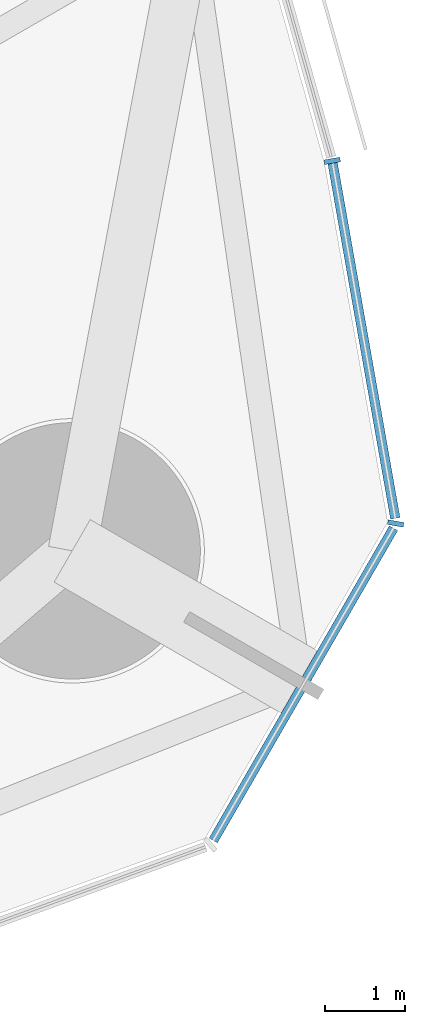
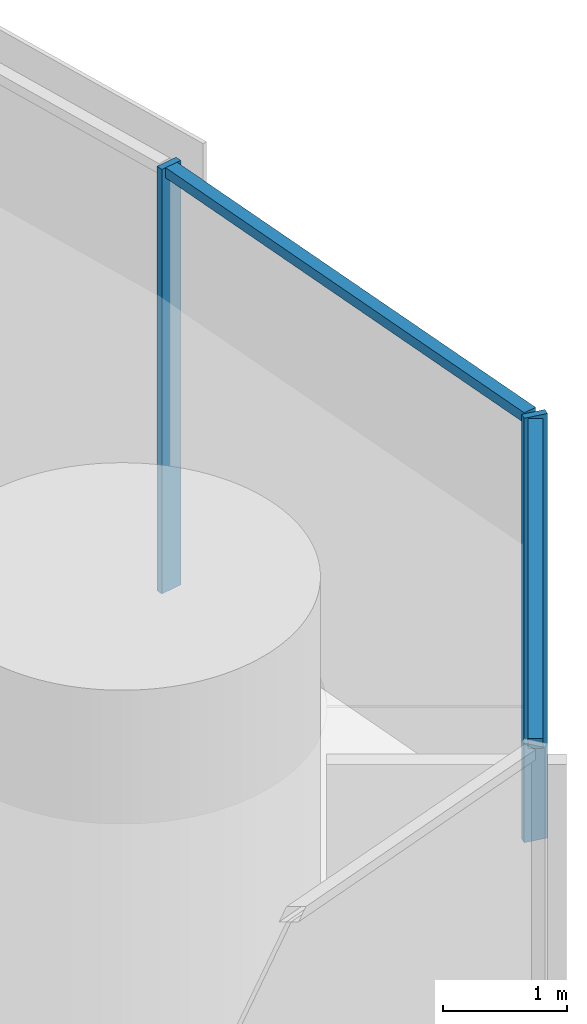
# One storey, part 9 of 20: 4 members, 1 element without a shape of its own.
"""IFC4 building model written with IfcOpenShell, lengths in metres."""

import ifcopenshell
import ifcopenshell.guid

model = None  # the IFC model being written
_history = None  # IfcOwnerHistory: only IFC2X3 demands one
_inside = {}  # id of a spatial element -> (the spatial element, [elements in it])
_under = {}  # id of a project, library or spatial element -> (it, [spatial elements below it])
_declared = {}  # id of a project -> (the project, [libraries it declares])
_typed = {}  # id of a type object -> (the type object, [elements of that type])
_made_of = {}  # id of a material, layer set ... -> (it, [elements and type objects made of it])


def new_model(schema):
    """Start an empty IFC model of exactly this schema.

    Asked for "IFC4X3", IfcOpenShell would pick the latest addendum, in which some entities
    have other attributes; the version numbers below select the first issue.
    IFC2X3 requires an IfcOwnerHistory on every rooted entity: one is made here for all.
    """
    global model, _history
    if schema == "IFC4X3":
        model = ifcopenshell.file(schema_version=(4, 3, 0, 0))
    else:
        model = ifcopenshell.file(schema=schema)
    _inside.clear()
    _under.clear()
    _declared.clear()
    _typed.clear()
    _made_of.clear()
    _history = None
    if model.schema == "IFC2X3":
        org = make("IfcOrganization", Name="unknown")
        user = make(
            "IfcPersonAndOrganization",
            ThePerson=make("IfcPerson", FamilyName="unknown"),
            TheOrganization=org,
        )
        app = make(
            "IfcApplication",
            ApplicationDeveloper=org,
            Version="unknown",
            ApplicationFullName="unknown",
            ApplicationIdentifier="unknown",
        )
        _history = make(
            "IfcOwnerHistory",
            OwningUser=user,
            OwningApplication=app,
            ChangeAction="ADDED",
            CreationDate=0,
        )
    return model


def make(cls, **values):
    """One entity of the class cls with the attributes given. An attribute that is None is left unset."""
    return model.create_entity(
        cls, **{name: value for name, value in values.items() if value is not None}
    )


def rooted(cls, **values):
    """An entity with a GlobalId (a new one), such as an element, a storey or a relation."""
    return make(cls, GlobalId=ifcopenshell.guid.new(), OwnerHistory=_history, **values)


def si_unit(unit_type, name, prefix=None):
    """IfcSIUnit, for example si_unit("LENGTHUNIT", "METRE", prefix="MILLI")."""
    return make("IfcSIUnit", UnitType=unit_type, Prefix=prefix, Name=name)


def assignment(units):
    """IfcUnitAssignment: the units of a project."""
    return None if units is None else make("IfcUnitAssignment", Units=units)


def point(xyz):
    """IfcCartesianPoint."""
    return None if xyz is None else make("IfcCartesianPoint", Coordinates=xyz)


def direction(xyz):
    """IfcDirection."""
    return None if xyz is None else make("IfcDirection", DirectionRatios=xyz)


def frame(location, z_axis=None, x_axis=None):
    """IfcAxis2Placement3D, a coordinate frame: its origin and axes. An axis left out is left unset."""
    return make(
        "IfcAxis2Placement3D",
        Location=point(location),
        Axis=direction(z_axis),
        RefDirection=direction(x_axis),
    )


def frame_2d(location, x_axis=None):
    """IfcAxis2Placement2D, a coordinate frame in the plane: its origin and x axis."""
    return make(
        "IfcAxis2Placement2D", Location=point(location), RefDirection=direction(x_axis)
    )


def origin():
    """The frame at (0, 0, 0) with its axes left unset."""
    return frame((0.0, 0.0, 0.0))


def origin_2d():
    """The frame at (0, 0) in the plane with its x axis left unset."""
    return frame_2d((0.0, 0.0))


def place(relative_to, where):
    """IfcLocalPlacement: puts the frame where relative to a parent placement (None: the world)."""
    return make(
        "IfcLocalPlacement", PlacementRelTo=relative_to, RelativePlacement=where
    )


def context(
    kind, dimensions, precision=None, world=None, true_north=None, identifier=None
):
    """IfcGeometricRepresentationContext, for example the 3D "Model" context."""
    return make(
        "IfcGeometricRepresentationContext",
        ContextIdentifier=identifier,
        ContextType=kind,
        CoordinateSpaceDimension=dimensions,
        Precision=precision,
        WorldCoordinateSystem=world,
        TrueNorth=true_north,
    )


def subcontext(parent, identifier, kind, view, scale=None):
    """IfcGeometricRepresentationSubContext, for example "Body" below "Model"."""
    return make(
        "IfcGeometricRepresentationSubContext",
        ContextIdentifier=identifier,
        ContextType=kind,
        ParentContext=parent,
        TargetScale=scale,
        TargetView=view,
    )


def project(units=None, contexts=None):
    """IfcProject with its units and contexts."""
    return rooted(
        "IfcProject",
        Name="project",
        RepresentationContexts=contexts,
        UnitsInContext=assignment(units),
    )


def spatial(cls, under=None, at=None, **own):
    """A site, building, storey or space (cls), placed at a placement, below another one or the project."""
    s = rooted(cls, ObjectPlacement=at, **own)
    if under is not None:
        _under.setdefault(under.id(), (under, []))[1].append(s)
    return s


def profile(cls, at=None, kind="AREA", **sizes):
    """A parametric profile (cls). Its sizes go by their IFC names, for example OverallWidth=200.0."""
    return make(cls, ProfileType=kind, Position=at, **sizes)


def rectangle(**sizes):
    """IfcRectangleProfileDef."""
    return profile("IfcRectangleProfileDef", **sizes)


def extrude(swept, where, along, depth):
    """IfcExtrudedAreaSolid: the profile swept, set in the frame where, extruded along a direction by depth."""
    return make(
        "IfcExtrudedAreaSolid",
        SweptArea=swept,
        Position=where,
        ExtrudedDirection=direction(along),
        Depth=depth,
    )


def shape(context_of_items, identifier, shape_type, items):
    """IfcShapeRepresentation: the items that make up one representation, for example the "Body"."""
    return make(
        "IfcShapeRepresentation",
        ContextOfItems=context_of_items,
        RepresentationIdentifier=identifier,
        RepresentationType=shape_type,
        Items=items,
    )


def material(Name=None, Category=None):
    """IfcMaterial."""
    return make("IfcMaterial", Name=Name, Category=Category)


def material_profile(
    of_material, cross_section, Name=None, Category=None, Priority=None
):
    """IfcMaterialProfile: a cross section and its material."""
    return make(
        "IfcMaterialProfile",
        Name=Name,
        Material=of_material,
        Profile=cross_section,
        Priority=Priority,
        Category=Category,
    )


def profile_set(profiles, Name=None, composite=None):
    """IfcMaterialProfileSet."""
    return make(
        "IfcMaterialProfileSet",
        Name=Name,
        MaterialProfiles=profiles,
        CompositeProfile=composite,
    )


def made_of(thing, what):
    """Note that an element or type object is made of a material, layer set ...; save() writes the relation."""
    if what is not None:
        _made_of.setdefault(what.id(), (what, []))[1].append(thing)
    return thing


def type_object(cls, material=None, **own):
    """A type object (cls), such as IfcWallType, which elements share."""
    return made_of(rooted(cls, **own), material)


def element(
    cls,
    number,
    at=None,
    inside=None,
    cuts=None,
    type_object=None,
    material=None,
    context=None,
    identifier="Body",
    shape_type=None,
    held_by="IfcProductDefinitionShape",
    body=None,
    shapes=None,
    **own,
):
    """One element of the class cls, such as IfcWall. Its Tag is "e" and its number.

    at: its placement. inside: the storey or other place that contains it. cuts: it is an
    opening in that element (IfcRelVoidsElement). A single representation is given by context,
    identifier, shape_type and body (its items); several are given by shapes. held_by: the class
    of the entity that holds the representations. save() writes the other relations.
    """
    e = rooted(cls, Tag="e%d" % number, ObjectPlacement=at, **own)
    if body is not None:
        shapes = [shape(context, identifier, shape_type, body)]
    if shapes is not None:
        e.Representation = make(held_by, Representations=shapes)
    if inside is not None:
        _inside.setdefault(inside.id(), (inside, []))[1].append(e)
    if cuts is not None:
        rooted(
            "IfcRelVoidsElement", RelatingBuildingElement=cuts, RelatedOpeningElement=e
        )
    if type_object is not None:
        _typed.setdefault(type_object.id(), (type_object, []))[1].append(e)
    return made_of(e, material)


def aggregate(whole, parts):
    """IfcRelAggregates: a whole, such as a stair, and the parts it consists of."""
    return rooted("IfcRelAggregates", RelatingObject=whole, RelatedObjects=parts)


def save(model, path):
    """Write the relations noted so far, then the file.

    IfcRelAggregates (storeys below a building ...), IfcRelContainedInSpatialStructure (elements
    in a storey), IfcRelDefinesByType, IfcRelAssociatesMaterial and IfcRelDeclares: one each for
    every whole, place, type object, material and project.
    """
    for whole, parts in _under.values():
        aggregate(whole, parts)
    for where, things in _inside.values():
        rooted(
            "IfcRelContainedInSpatialStructure",
            RelatedElements=things,
            RelatingStructure=where,
        )
    for kind, things in _typed.values():
        rooted("IfcRelDefinesByType", RelatedObjects=things, RelatingType=kind)
    for what, things in _made_of.values():
        rooted("IfcRelAssociatesMaterial", RelatedObjects=things, RelatingMaterial=what)
    for by, libraries in _declared.values():
        rooted("IfcRelDeclares", RelatingContext=by, RelatedDefinitions=libraries)
    model.write(path)


model = new_model("IFC4")

# Units and contexts
model_context = context("Model", 3, precision=1e-05, world=origin(), true_north=direction((0.0, 1.0)))
body_context = subcontext(model_context, "Body", "Model", "MODEL_VIEW")
ifc_project = project(units=[si_unit("LENGTHUNIT", "METRE"), si_unit("AREAUNIT", "SQUARE_METRE"), si_unit("VOLUMEUNIT", "CUBIC_METRE"), si_unit("PLANEANGLEUNIT", "RADIAN"), si_unit("MASSUNIT", "GRAM", prefix="KILO")], contexts=[model_context])

# Site, building, storey
site_placement = place(None, origin())
site = spatial("IfcSite", under=ifc_project, at=site_placement, CompositionType="ELEMENT")
building_placement = place(site_placement, origin())
building = spatial("IfcBuilding", under=site, at=building_placement, Name="Trefoil Bronze Tower", CompositionType="ELEMENT")
storey_placement = place(building_placement, frame((0.0, 0.0, 231.699951171875)))
storey = spatial("IfcBuildingStorey", under=building, at=storey_placement, Name="L53", CompositionType="ELEMENT", Elevation=231.699951171875)

# Curtain wall, members
ifc_material_1 = material(Name="Tinted solar-control glass", Category="glass")
curtain_wall_type = type_object("IfcCurtainWallType", Name="Bronze rounded corner curtain wall", PredefinedType="USERDEFINED", material=ifc_material_1)
curtain_wall_placement = place(storey_placement, origin())
curtain_wall = element("IfcCurtainWall", 1, at=curtain_wall_placement, inside=storey, type_object=curtain_wall_type, Name="CW-B L53 K1", ObjectType="CURTAIN WALL", PredefinedType="USERDEFINED")
ifc_material_2 = material(Name="Bronze-finish aluminium", Category="aluminium")
ifc_material_profile_1 = material_profile(ifc_material_2, rectangle(XDim=0.199951171875, YDim=0.06005859375, at=origin_2d()), Name="CW-B mullion")
ifc_profile_set_1 = profile_set([ifc_material_profile_1], Name="Bronze-finish aluminium")
member_type_1 = type_object("IfcMemberType", Name="Bronze rounded corner curtain wall mullion", PredefinedType="MULLION", material=ifc_profile_set_1)
member_1_placement = place(storey_placement, frame((32.616943359375, -16.158935546875, 0.0), z_axis=(0.0, 0.0, 1.0), x_axis=(-0.984807753012, 0.173648177667, 0.0)))
member_1 = element("IfcMember", 2, at=member_1_placement, type_object=member_type_1, Name="CW-B L53 K1 mullion 3", PredefinedType="MULLION", context=body_context, shape_type="SweptSolid", body=[
    extrude(rectangle(XDim=0.199951171875, YDim=0.06005859375, at=origin_2d()), origin(), (0.0, 0.0, 1.0), 4.179931640625),
])
member_2_placement = place(storey_placement, frame((31.824951171875, -11.63330078125, 0.0), z_axis=(0.0, 0.0, 1.0), x_axis=(-0.984807753012, -0.173648177667, 0.0)))
member_2 = element("IfcMember", 3, at=member_2_placement, type_object=member_type_1, Name="CW-B L53 K1 mullion 4", PredefinedType="MULLION", context=body_context, shape_type="SweptSolid", body=[
    extrude(rectangle(XDim=0.199951171875, YDim=0.06005859375, at=origin_2d()), origin(), (0.0, 0.0, 1.0), 4.179931640625),
])
ifc_material_3 = material(Name="Bronze-finish aluminium", Category="aluminium")
ifc_material_profile_2 = material_profile(ifc_material_3, rectangle(XDim=0.1201171875, YDim=0.10009765625, at=origin_2d()), Name="CW-B transom")
ifc_profile_set_2 = profile_set([ifc_material_profile_2], Name="Bronze-finish aluminium")
member_type_2 = type_object("IfcMemberType", Name="Bronze rounded corner curtain wall transom", PredefinedType="USERDEFINED", material=ifc_profile_set_2)
member_3_placement = place(storey_placement, frame((30.33984375, -20.114990234375, 4.130126953125), z_axis=(0.500007335828, 0.866021168401, 0.0), x_axis=(-0.866021168401, 0.500007335828, 0.0)))
member_3 = element("IfcMember", 4, at=member_3_placement, type_object=member_type_2, Name="CW-B L53 K1 transom 2", ObjectType="TRANSOM", PredefinedType="USERDEFINED", context=body_context, shape_type="SweptSolid", body=[
    extrude(rectangle(XDim=0.1201171875, YDim=0.10009765625, at=origin_2d()), origin(), (0.0, 0.0, 1.0), 4.50048828125),
])
member_4_placement = place(storey_placement, frame((32.611572265625, -16.0947265625, 4.130126953125), z_axis=(-0.173655350028, 0.984806488304, 0.0), x_axis=(-0.984806488304, -0.173655350028, 0.0)))
member_4 = element("IfcMember", 5, at=member_4_placement, type_object=member_type_2, Name="CW-B L53 K1 transom 3", ObjectType="TRANSOM", PredefinedType="USERDEFINED", context=body_context, shape_type="SweptSolid", body=[
    extrude(rectangle(XDim=0.1201171875, YDim=0.10009765625, at=origin_2d()), origin(), (0.0, 0.0, 1.0), 4.500244140625),
])
aggregate(curtain_wall, [member_1, member_2, member_3, member_4])

save(model, "model.ifc")
